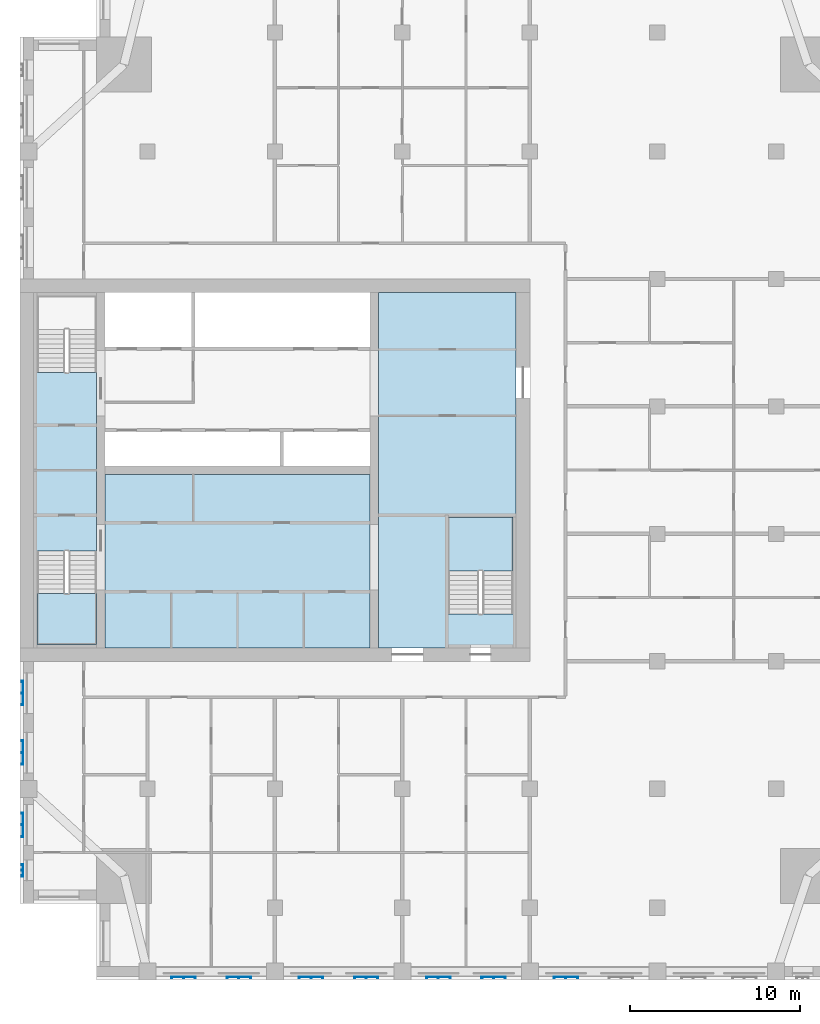
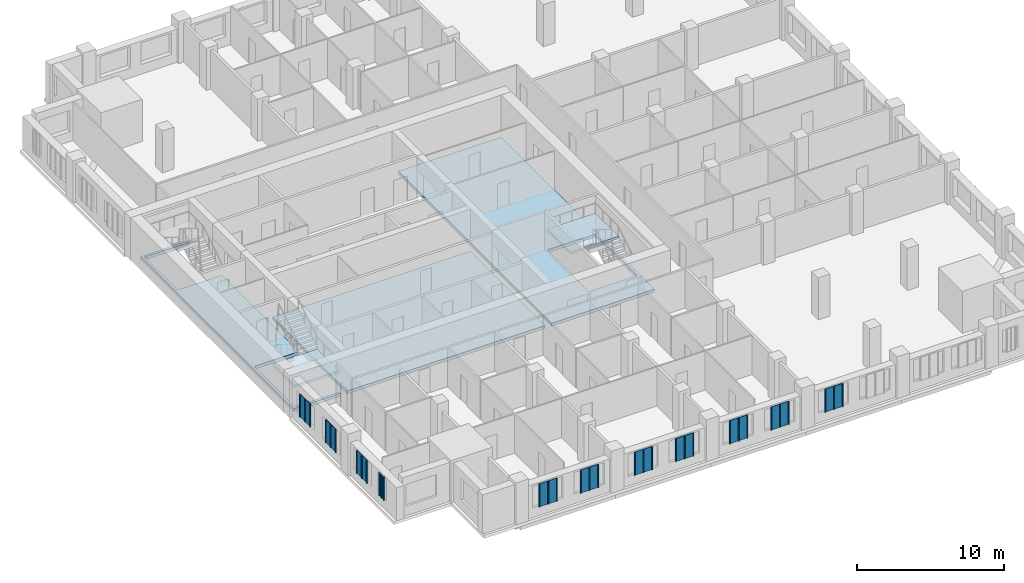
# One storey, part 2 of 14: 11 plates, 5 slabs, 2 elements without a shape of their own.
"""IFC4 building model written with IfcOpenShell, lengths in metres."""

import ifcopenshell
import ifcopenshell.guid

model = None  # the IFC model being written
_history = None  # IfcOwnerHistory: only IFC2X3 demands one
_inside = {}  # id of a spatial element -> (the spatial element, [elements in it])
_under = {}  # id of a project, library or spatial element -> (it, [spatial elements below it])
_declared = {}  # id of a project -> (the project, [libraries it declares])
_typed = {}  # id of a type object -> (the type object, [elements of that type])
_made_of = {}  # id of a material, layer set ... -> (it, [elements and type objects made of it])


def new_model(schema):
    """Start an empty IFC model of exactly this schema.

    Asked for "IFC4X3", IfcOpenShell would pick the latest addendum, in which some entities
    have other attributes; the version numbers below select the first issue.
    IFC2X3 requires an IfcOwnerHistory on every rooted entity: one is made here for all.
    """
    global model, _history
    if schema == "IFC4X3":
        model = ifcopenshell.file(schema_version=(4, 3, 0, 0))
    else:
        model = ifcopenshell.file(schema=schema)
    _inside.clear()
    _under.clear()
    _declared.clear()
    _typed.clear()
    _made_of.clear()
    _history = None
    if model.schema == "IFC2X3":
        org = make("IfcOrganization", Name="unknown")
        user = make(
            "IfcPersonAndOrganization",
            ThePerson=make("IfcPerson", FamilyName="unknown"),
            TheOrganization=org,
        )
        app = make(
            "IfcApplication",
            ApplicationDeveloper=org,
            Version="unknown",
            ApplicationFullName="unknown",
            ApplicationIdentifier="unknown",
        )
        _history = make(
            "IfcOwnerHistory",
            OwningUser=user,
            OwningApplication=app,
            ChangeAction="ADDED",
            CreationDate=0,
        )
    return model


def make(cls, **values):
    """One entity of the class cls with the attributes given. An attribute that is None is left unset."""
    return model.create_entity(
        cls, **{name: value for name, value in values.items() if value is not None}
    )


def rooted(cls, **values):
    """An entity with a GlobalId (a new one), such as an element, a storey or a relation."""
    return make(cls, GlobalId=ifcopenshell.guid.new(), OwnerHistory=_history, **values)


def si_unit(unit_type, name, prefix=None):
    """IfcSIUnit, for example si_unit("LENGTHUNIT", "METRE", prefix="MILLI")."""
    return make("IfcSIUnit", UnitType=unit_type, Prefix=prefix, Name=name)


def assignment(units):
    """IfcUnitAssignment: the units of a project."""
    return None if units is None else make("IfcUnitAssignment", Units=units)


def point(xyz):
    """IfcCartesianPoint."""
    return None if xyz is None else make("IfcCartesianPoint", Coordinates=xyz)


def direction(xyz):
    """IfcDirection."""
    return None if xyz is None else make("IfcDirection", DirectionRatios=xyz)


def frame(location, z_axis=None, x_axis=None):
    """IfcAxis2Placement3D, a coordinate frame: its origin and axes. An axis left out is left unset."""
    return make(
        "IfcAxis2Placement3D",
        Location=point(location),
        Axis=direction(z_axis),
        RefDirection=direction(x_axis),
    )


def origin():
    """The frame at (0, 0, 0) with its axes left unset."""
    return frame((0.0, 0.0, 0.0))


def place(relative_to, where):
    """IfcLocalPlacement: puts the frame where relative to a parent placement (None: the world)."""
    return make(
        "IfcLocalPlacement", PlacementRelTo=relative_to, RelativePlacement=where
    )


def context(
    kind, dimensions, precision=None, world=None, true_north=None, identifier=None
):
    """IfcGeometricRepresentationContext, for example the 3D "Model" context."""
    return make(
        "IfcGeometricRepresentationContext",
        ContextIdentifier=identifier,
        ContextType=kind,
        CoordinateSpaceDimension=dimensions,
        Precision=precision,
        WorldCoordinateSystem=world,
        TrueNorth=true_north,
    )


def subcontext(parent, identifier, kind, view, scale=None):
    """IfcGeometricRepresentationSubContext, for example "Body" below "Model"."""
    return make(
        "IfcGeometricRepresentationSubContext",
        ContextIdentifier=identifier,
        ContextType=kind,
        ParentContext=parent,
        TargetScale=scale,
        TargetView=view,
    )


def project(units=None, contexts=None):
    """IfcProject with its units and contexts."""
    return rooted(
        "IfcProject",
        Name="project",
        RepresentationContexts=contexts,
        UnitsInContext=assignment(units),
    )


def spatial(cls, under=None, at=None, **own):
    """A site, building, storey or space (cls), placed at a placement, below another one or the project."""
    s = rooted(cls, ObjectPlacement=at, **own)
    if under is not None:
        _under.setdefault(under.id(), (under, []))[1].append(s)
    return s


def polyline(points):
    """IfcPolyline through the points."""
    return make("IfcPolyline", Points=[point(p) for p in points])


def outline(outer, holes=None, kind="AREA"):
    """IfcArbitraryClosedProfileDef: a profile drawn as a closed curve; with holes, ...WithVoids."""
    if holes is None:
        return make("IfcArbitraryClosedProfileDef", ProfileType=kind, OuterCurve=outer)
    return make(
        "IfcArbitraryProfileDefWithVoids",
        ProfileType=kind,
        OuterCurve=outer,
        InnerCurves=holes,
    )


def extrude(swept, where, along, depth):
    """IfcExtrudedAreaSolid: the profile swept, set in the frame where, extruded along a direction by depth."""
    return make(
        "IfcExtrudedAreaSolid",
        SweptArea=swept,
        Position=where,
        ExtrudedDirection=direction(along),
        Depth=depth,
    )


def shape(context_of_items, identifier, shape_type, items):
    """IfcShapeRepresentation: the items that make up one representation, for example the "Body"."""
    return make(
        "IfcShapeRepresentation",
        ContextOfItems=context_of_items,
        RepresentationIdentifier=identifier,
        RepresentationType=shape_type,
        Items=items,
    )


def material(Name=None, Category=None):
    """IfcMaterial."""
    return make("IfcMaterial", Name=Name, Category=Category)


def layer(
    of_material, thickness, ventilated=None, Name=None, Category=None, Priority=None
):
    """IfcMaterialLayer: one layer of a wall or slab, of a material (None: an air gap)."""
    return make(
        "IfcMaterialLayer",
        Material=of_material,
        LayerThickness=thickness,
        IsVentilated=ventilated,
        Name=Name,
        Category=Category,
        Priority=Priority,
    )


def layer_set(layers, Name=None):
    """IfcMaterialLayerSet."""
    return make("IfcMaterialLayerSet", MaterialLayers=layers, LayerSetName=Name)


def made_of(thing, what):
    """Note that an element or type object is made of a material, layer set ...; save() writes the relation."""
    if what is not None:
        _made_of.setdefault(what.id(), (what, []))[1].append(thing)
    return thing


def type_object(cls, material=None, **own):
    """A type object (cls), such as IfcWallType, which elements share."""
    return made_of(rooted(cls, **own), material)


def element(
    cls,
    number,
    at=None,
    inside=None,
    cuts=None,
    type_object=None,
    material=None,
    context=None,
    identifier="Body",
    shape_type=None,
    held_by="IfcProductDefinitionShape",
    body=None,
    shapes=None,
    **own,
):
    """One element of the class cls, such as IfcWall. Its Tag is "e" and its number.

    at: its placement. inside: the storey or other place that contains it. cuts: it is an
    opening in that element (IfcRelVoidsElement). A single representation is given by context,
    identifier, shape_type and body (its items); several are given by shapes. held_by: the class
    of the entity that holds the representations. save() writes the other relations.
    """
    e = rooted(cls, Tag="e%d" % number, ObjectPlacement=at, **own)
    if body is not None:
        shapes = [shape(context, identifier, shape_type, body)]
    if shapes is not None:
        e.Representation = make(held_by, Representations=shapes)
    if inside is not None:
        _inside.setdefault(inside.id(), (inside, []))[1].append(e)
    if cuts is not None:
        rooted(
            "IfcRelVoidsElement", RelatingBuildingElement=cuts, RelatedOpeningElement=e
        )
    if type_object is not None:
        _typed.setdefault(type_object.id(), (type_object, []))[1].append(e)
    return made_of(e, material)


def aggregate(whole, parts):
    """IfcRelAggregates: a whole, such as a stair, and the parts it consists of."""
    return rooted("IfcRelAggregates", RelatingObject=whole, RelatedObjects=parts)


def save(model, path):
    """Write the relations noted so far, then the file.

    IfcRelAggregates (storeys below a building ...), IfcRelContainedInSpatialStructure (elements
    in a storey), IfcRelDefinesByType, IfcRelAssociatesMaterial and IfcRelDeclares: one each for
    every whole, place, type object, material and project.
    """
    for whole, parts in _under.values():
        aggregate(whole, parts)
    for where, things in _inside.values():
        rooted(
            "IfcRelContainedInSpatialStructure",
            RelatedElements=things,
            RelatingStructure=where,
        )
    for kind, things in _typed.values():
        rooted("IfcRelDefinesByType", RelatedObjects=things, RelatingType=kind)
    for what, things in _made_of.values():
        rooted("IfcRelAssociatesMaterial", RelatedObjects=things, RelatingMaterial=what)
    for by, libraries in _declared.values():
        rooted("IfcRelDeclares", RelatingContext=by, RelatedDefinitions=libraries)
    model.write(path)


model = new_model("IFC4")

# Units and contexts
model_context = context("Model", 3, precision=1e-05, world=origin(), true_north=direction((0.0, 1.0)))
body_context = subcontext(model_context, "Body", "Model", "MODEL_VIEW")
ifc_project = project(units=[si_unit("LENGTHUNIT", "METRE"), si_unit("AREAUNIT", "SQUARE_METRE"), si_unit("VOLUMEUNIT", "CUBIC_METRE"), si_unit("PLANEANGLEUNIT", "RADIAN"), si_unit("MASSUNIT", "GRAM", prefix="KILO")], contexts=[model_context])

# Site, building, storey
site_placement = place(None, origin())
site = spatial("IfcSite", under=ifc_project, at=site_placement, CompositionType="ELEMENT")
building_placement = place(site_placement, origin())
building = spatial("IfcBuilding", under=site, at=building_placement, Name="Tamorin Gate", CompositionType="ELEMENT")
storey_placement = place(building_placement, frame((0.0, 0.0, 200.199951171875)))
storey = spatial("IfcBuildingStorey", under=building, at=storey_placement, Name="L49", CompositionType="ELEMENT", Elevation=200.199951171875)

# Slabs
ifc_material_1 = material(Name="Concrete C40/50", Category="concrete")
ifc_layer_1 = layer(ifc_material_1, 0.25)
ifc_layer_set_1 = layer_set([ifc_layer_1], Name="Core floor slab 250 C40/50")
slab_type_1 = type_object("IfcSlabType", Name="Core floor slab 250 C40/50", PredefinedType="FLOOR", material=ifc_layer_set_1)
slab_1_placement = place(storey_placement, frame((0.0, 0.0, -0.25)))
element("IfcSlab", 1, at=slab_1_placement, inside=storey, type_object=slab_type_1, Name="Core floor L49", PredefinedType="FLOOR", context=body_context, shape_type="SweptSolid", body=[
    extrude(outline(polyline([(51.10009765625, 81.699951171875), (59.199951171875, 81.699951171875), (59.199951171875, 60.800048828125), (51.10009765625, 60.800048828125), (51.10009765625, 81.699951171875)]), holes=[polyline([(55.199951171875, 62.800048828125), (59.0, 62.800048828125), (59.0, 68.5), (55.199951171875, 68.5), (55.199951171875, 62.800048828125)])]), origin(), (0.0, 0.0, 1.0), 0.25),
])
slab_2_placement = place(storey_placement, frame((0.0, 0.0, -0.25)))
element("IfcSlab", 2, at=slab_2_placement, inside=storey, type_object=slab_type_1, Name="Core floor L49", PredefinedType="FLOOR", context=body_context, shape_type="SweptSolid", body=[
    extrude(outline(polyline([(50.60009765625, 71.0), (50.60009765625, 60.800048828125), (35.0, 60.800048828125), (35.0, 71.0), (50.60009765625, 71.0)])), origin(), (0.0, 0.0, 1.0), 0.25),
])
slab_3_placement = place(storey_placement, frame((0.0, 0.0, -0.25)))
element("IfcSlab", 3, at=slab_3_placement, inside=storey, type_object=slab_type_1, Name="Core floor L49", PredefinedType="FLOOR", context=body_context, shape_type="SweptSolid", body=[
    extrude(outline(polyline([(34.5, 60.800048828125), (30.800048828125, 60.800048828125), (30.800048828125, 81.699951171875), (34.5, 81.699951171875), (34.5, 81.5), (31.0, 81.5), (31.0, 77.0), (34.5, 77.0), (34.5, 66.5), (31.0, 66.5), (31.0, 61.0), (34.5, 61.0), (34.5, 60.800048828125)])), origin(), (0.0, 0.0, 1.0), 0.25),
])

# Stair, slab
stair_type = type_object("IfcStairType", Name="Exit stair", PredefinedType="HALF_TURN_STAIR", material=ifc_material_1)
stair_1_placement = place(storey_placement, origin())
stair_1 = element("IfcStair", 4, at=stair_1_placement, inside=storey, type_object=stair_type, Name="L49 stair ST1", PredefinedType="HALF_TURN_STAIR")
ifc_layer_2 = layer(ifc_material_1, 0.199951171875)
ifc_layer_set_2 = layer_set([ifc_layer_2], Name="Exit stair landing 200")
slab_type_2 = type_object("IfcSlabType", Name="Exit stair landing 200", PredefinedType="LANDING", material=ifc_layer_set_2)
slab_4_placement = place(storey_placement, frame((0.0, 0.0, 1.550048828125)))
slab_4 = element("IfcSlab", 5, at=slab_4_placement, type_object=slab_type_2, Name="ST1 landing 1", PredefinedType="LANDING", context=body_context, shape_type="SweptSolid", body=[
    extrude(outline(polyline([(31.0, 63.97998046875), (31.0, 61.0), (34.5, 61.0), (34.5, 63.97998046875), (31.0, 63.97998046875)])), origin(), (0.0, 0.0, 1.0), 0.199951171875),
])
aggregate(stair_1, [slab_4])

stair_2_placement = place(storey_placement, origin())
stair_2 = element("IfcStair", 6, at=stair_2_placement, inside=storey, type_object=stair_type, Name="L49 stair ST3", PredefinedType="HALF_TURN_STAIR")
slab_5_placement = place(storey_placement, frame((0.0, 0.0, 1.550048828125)))
slab_5 = element("IfcSlab", 7, at=slab_5_placement, type_object=slab_type_2, Name="ST3 landing 1", PredefinedType="LANDING", context=body_context, shape_type="SweptSolid", body=[
    extrude(outline(polyline([(59.0, 65.320068359375), (59.0, 68.5), (55.199951171875, 68.5), (55.199951171875, 65.320068359375), (59.0, 65.320068359375)])), origin(), (0.0, 0.0, 1.0), 0.199951171875),
])
aggregate(stair_2, [slab_5])

# Plates
ifc_material_2 = material(Name="Perforated pale aluminium sheet", Category="aluminium")
ifc_layer_3 = layer(ifc_material_2, 0.0400390625)
ifc_layer_set_3 = layer_set([ifc_layer_3], Name="Pale metal solar screen 1440")
plate_type_1 = type_object("IfcPlateType", Name="Pale metal solar screen 1440", PredefinedType="SHEET", material=ifc_layer_set_3)
plate_1_placement = place(storey_placement, frame((0.0, 0.0, 0.737548828125)))
element("IfcPlate", 8, at=plate_1_placement, inside=storey, type_object=plate_type_1, Name="Perforated solar screen", PredefinedType="SHEET", context=body_context, shape_type="SweptSolid", body=[
    extrude(outline(polyline([(38.905029296875, 41.409912109375), (38.905029296875, 41.449951171875), (38.965087890625, 41.449951171875), (39.594970703125, 41.449951171875), (39.655029296875, 41.449951171875), (40.284912109375, 41.449951171875), (40.344970703125, 41.449951171875), (40.344970703125, 41.449951171875), (40.344970703125, 41.409912109375), (40.344970703125, 41.409912109375), (40.344970703125, 41.35009765625), (40.284912109375, 41.35009765625), (40.284912109375, 41.409912109375), (39.655029296875, 41.409912109375), (39.655029296875, 41.35009765625), (39.594970703125, 41.35009765625), (39.594970703125, 41.409912109375), (38.965087890625, 41.409912109375), (38.965087890625, 41.35009765625), (38.905029296875, 41.35009765625), (38.905029296875, 41.409912109375)])), origin(), (0.0, 0.0, 1.0), 1.925048828125),
])
plate_2_placement = place(storey_placement, frame((0.0, 0.0, 0.737548828125)))
element("IfcPlate", 9, at=plate_2_placement, inside=storey, type_object=plate_type_1, Name="Perforated solar screen", PredefinedType="SHEET", context=body_context, shape_type="SweptSolid", body=[
    extrude(outline(polyline([(42.155029296875, 41.409912109375), (42.155029296875, 41.449951171875), (42.215087890625, 41.449951171875), (42.844970703125, 41.449951171875), (42.905029296875, 41.449951171875), (43.534912109375, 41.449951171875), (43.594970703125, 41.449951171875), (43.594970703125, 41.409912109375), (43.594970703125, 41.35009765625), (43.534912109375, 41.35009765625), (43.534912109375, 41.409912109375), (42.905029296875, 41.409912109375), (42.905029296875, 41.35009765625), (42.844970703125, 41.35009765625), (42.844970703125, 41.409912109375), (42.215087890625, 41.409912109375), (42.215087890625, 41.35009765625), (42.155029296875, 41.35009765625), (42.155029296875, 41.409912109375)])), origin(), (0.0, 0.0, 1.0), 1.925048828125),
])
plate_3_placement = place(storey_placement, frame((0.0, 0.0, 0.737548828125)))
element("IfcPlate", 10, at=plate_3_placement, inside=storey, type_object=plate_type_1, Name="Perforated solar screen", PredefinedType="SHEET", context=body_context, shape_type="SweptSolid", body=[
    extrude(outline(polyline([(46.405029296875, 41.409912109375), (46.405029296875, 41.449951171875), (46.465087890625, 41.449951171875), (47.094970703125, 41.449951171875), (47.155029296875, 41.449951171875), (47.784912109375, 41.449951171875), (47.844970703125, 41.449951171875), (47.844970703125, 41.409912109375), (47.844970703125, 41.35009765625), (47.784912109375, 41.35009765625), (47.784912109375, 41.409912109375), (47.155029296875, 41.409912109375), (47.155029296875, 41.35009765625), (47.094970703125, 41.35009765625), (47.094970703125, 41.409912109375), (46.465087890625, 41.409912109375), (46.465087890625, 41.35009765625), (46.405029296875, 41.35009765625), (46.405029296875, 41.409912109375)])), origin(), (0.0, 0.0, 1.0), 1.925048828125),
])
plate_4_placement = place(storey_placement, frame((0.0, 0.0, 0.737548828125)))
element("IfcPlate", 11, at=plate_4_placement, inside=storey, type_object=plate_type_1, Name="Perforated solar screen", PredefinedType="SHEET", context=body_context, shape_type="SweptSolid", body=[
    extrude(outline(polyline([(49.655029296875, 41.409912109375), (49.655029296875, 41.449951171875), (49.715087890625, 41.449951171875), (50.344970703125, 41.449951171875), (50.405029296875, 41.449951171875), (51.034912109375, 41.449951171875), (51.094970703125, 41.449951171875), (51.094970703125, 41.409912109375), (51.094970703125, 41.35009765625), (51.034912109375, 41.35009765625), (51.034912109375, 41.409912109375), (50.405029296875, 41.409912109375), (50.405029296875, 41.35009765625), (50.344970703125, 41.35009765625), (50.344970703125, 41.409912109375), (49.715087890625, 41.409912109375), (49.715087890625, 41.35009765625), (49.655029296875, 41.35009765625), (49.655029296875, 41.409912109375)])), origin(), (0.0, 0.0, 1.0), 1.925048828125),
])
plate_5_placement = place(storey_placement, frame((0.0, 0.0, 0.737548828125)))
element("IfcPlate", 12, at=plate_5_placement, inside=storey, type_object=plate_type_1, Name="Perforated solar screen", PredefinedType="SHEET", context=body_context, shape_type="SweptSolid", body=[
    extrude(outline(polyline([(53.905029296875, 41.409912109375), (53.905029296875, 41.449951171875), (53.965087890625, 41.449951171875), (54.594970703125, 41.449951171875), (54.655029296875, 41.449951171875), (55.284912109375, 41.449951171875), (55.344970703125, 41.449951171875), (55.344970703125, 41.409912109375), (55.344970703125, 41.35009765625), (55.284912109375, 41.35009765625), (55.284912109375, 41.409912109375), (54.655029296875, 41.409912109375), (54.655029296875, 41.35009765625), (54.594970703125, 41.35009765625), (54.594970703125, 41.409912109375), (53.965087890625, 41.409912109375), (53.965087890625, 41.35009765625), (53.905029296875, 41.35009765625), (53.905029296875, 41.409912109375)])), origin(), (0.0, 0.0, 1.0), 1.925048828125),
])
plate_6_placement = place(storey_placement, frame((0.0, 0.0, 0.737548828125)))
element("IfcPlate", 13, at=plate_6_placement, inside=storey, type_object=plate_type_1, Name="Perforated solar screen", PredefinedType="SHEET", context=body_context, shape_type="SweptSolid", body=[
    extrude(outline(polyline([(57.155029296875, 41.409912109375), (57.155029296875, 41.449951171875), (57.215087890625, 41.449951171875), (57.844970703125, 41.449951171875), (57.905029296875, 41.449951171875), (58.534912109375, 41.449951171875), (58.594970703125, 41.449951171875), (58.594970703125, 41.409912109375), (58.594970703125, 41.35009765625), (58.534912109375, 41.35009765625), (58.534912109375, 41.409912109375), (57.905029296875, 41.409912109375), (57.905029296875, 41.35009765625), (57.844970703125, 41.35009765625), (57.844970703125, 41.409912109375), (57.215087890625, 41.409912109375), (57.215087890625, 41.35009765625), (57.155029296875, 41.35009765625), (57.155029296875, 41.409912109375)])), origin(), (0.0, 0.0, 1.0), 1.925048828125),
])
plate_7_placement = place(storey_placement, frame((0.0, 0.0, 0.737548828125)))
element("IfcPlate", 14, at=plate_7_placement, inside=storey, type_object=plate_type_1, Name="Perforated solar screen", PredefinedType="SHEET", context=body_context, shape_type="SweptSolid", body=[
    extrude(outline(polyline([(61.405029296875, 41.409912109375), (61.405029296875, 41.449951171875), (61.465087890625, 41.449951171875), (62.094970703125, 41.449951171875), (62.155029296875, 41.449951171875), (62.784912109375, 41.449951171875), (62.844970703125, 41.449951171875), (62.844970703125, 41.409912109375), (62.844970703125, 41.35009765625), (62.784912109375, 41.35009765625), (62.784912109375, 41.409912109375), (62.155029296875, 41.409912109375), (62.155029296875, 41.35009765625), (62.094970703125, 41.35009765625), (62.094970703125, 41.409912109375), (61.465087890625, 41.409912109375), (61.465087890625, 41.35009765625), (61.405029296875, 41.35009765625), (61.405029296875, 41.409912109375)])), origin(), (0.0, 0.0, 1.0), 1.925048828125),
])
plate_8_placement = place(storey_placement, frame((0.0, 0.0, 0.737548828125)))
element("IfcPlate", 15, at=plate_8_placement, inside=storey, type_object=plate_type_1, Name="Perforated solar screen", PredefinedType="SHEET", context=body_context, shape_type="SweptSolid", body=[
    extrude(outline(polyline([(30.159912109375, 55.344970703125), (30.199951171875, 55.344970703125), (30.199951171875, 55.284912109375), (30.199951171875, 54.655029296875), (30.199951171875, 54.594970703125), (30.199951171875, 53.965087890625), (30.199951171875, 53.905029296875), (30.159912109375, 53.905029296875), (30.10009765625, 53.905029296875), (30.10009765625, 53.965087890625), (30.159912109375, 53.965087890625), (30.159912109375, 54.594970703125), (30.10009765625, 54.594970703125), (30.10009765625, 54.655029296875), (30.159912109375, 54.655029296875), (30.159912109375, 55.284912109375), (30.10009765625, 55.284912109375), (30.10009765625, 55.344970703125), (30.159912109375, 55.344970703125)])), origin(), (0.0, 0.0, 1.0), 1.925048828125),
])
plate_9_placement = place(storey_placement, frame((0.0, 0.0, 0.737548828125)))
element("IfcPlate", 16, at=plate_9_placement, inside=storey, type_object=plate_type_1, Name="Perforated solar screen", PredefinedType="SHEET", context=body_context, shape_type="SweptSolid", body=[
    extrude(outline(polyline([(30.159912109375, 58.844970703125), (30.199951171875, 58.844970703125), (30.199951171875, 58.784912109375), (30.199951171875, 58.155029296875), (30.199951171875, 58.094970703125), (30.199951171875, 57.465087890625), (30.199951171875, 57.405029296875), (30.159912109375, 57.405029296875), (30.10009765625, 57.405029296875), (30.10009765625, 57.465087890625), (30.159912109375, 57.465087890625), (30.159912109375, 58.094970703125), (30.10009765625, 58.094970703125), (30.10009765625, 58.155029296875), (30.159912109375, 58.155029296875), (30.159912109375, 58.784912109375), (30.10009765625, 58.784912109375), (30.10009765625, 58.844970703125), (30.159912109375, 58.844970703125)])), origin(), (0.0, 0.0, 1.0), 1.925048828125),
])
plate_10_placement = place(storey_placement, frame((0.0, 0.0, 0.737548828125)))
element("IfcPlate", 17, at=plate_10_placement, inside=storey, type_object=plate_type_1, Name="Perforated solar screen", PredefinedType="SHEET", context=body_context, shape_type="SweptSolid", body=[
    extrude(outline(polyline([(30.159912109375, 51.094970703125), (30.199951171875, 51.094970703125), (30.199951171875, 51.034912109375), (30.199951171875, 50.405029296875), (30.199951171875, 50.344970703125), (30.199951171875, 49.715087890625), (30.199951171875, 49.655029296875), (30.159912109375, 49.655029296875), (30.10009765625, 49.655029296875), (30.10009765625, 49.715087890625), (30.159912109375, 49.715087890625), (30.159912109375, 50.344970703125), (30.10009765625, 50.344970703125), (30.10009765625, 50.405029296875), (30.159912109375, 50.405029296875), (30.159912109375, 51.034912109375), (30.10009765625, 51.034912109375), (30.10009765625, 51.094970703125), (30.159912109375, 51.094970703125)])), origin(), (0.0, 0.0, 1.0), 1.925048828125),
])
ifc_layer_4 = layer(ifc_material_2, 0.0400390625)
ifc_layer_set_4 = layer_set([ifc_layer_4], Name="Pale metal solar screen 720")
plate_type_2 = type_object("IfcPlateType", Name="Pale metal solar screen 720", PredefinedType="SHEET", material=ifc_layer_set_4)
plate_11_placement = place(storey_placement, frame((0.0, 0.0, 0.737548828125)))
element("IfcPlate", 18, at=plate_11_placement, inside=storey, type_object=plate_type_2, Name="Perforated solar screen", PredefinedType="SHEET", context=body_context, shape_type="SweptSolid", body=[
    extrude(outline(polyline([(30.159912109375, 48.06005859375), (30.199951171875, 48.06005859375), (30.199951171875, 48.0), (30.199951171875, 47.72998046875), (30.199951171875, 47.669921875), (30.199951171875, 47.39990234375), (30.199951171875, 47.340087890625), (30.159912109375, 47.340087890625), (30.10009765625, 47.340087890625), (30.10009765625, 47.39990234375), (30.159912109375, 47.39990234375), (30.159912109375, 47.669921875), (30.10009765625, 47.669921875), (30.10009765625, 47.72998046875), (30.159912109375, 47.72998046875), (30.159912109375, 48.0), (30.10009765625, 48.0), (30.10009765625, 48.06005859375), (30.159912109375, 48.06005859375)])), origin(), (0.0, 0.0, 1.0), 1.925048828125),
])

save(model, "model.ifc")
